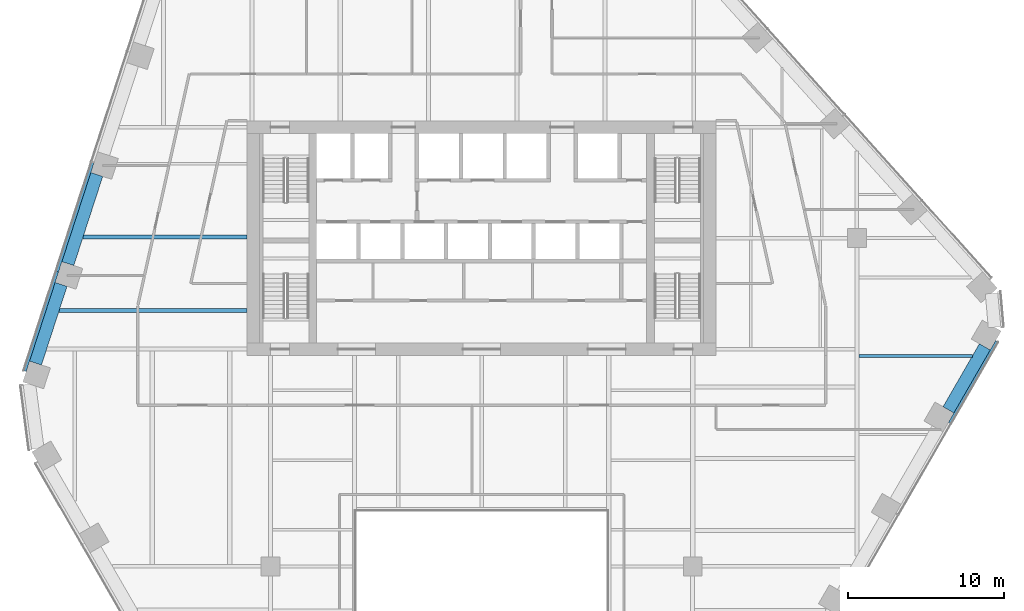
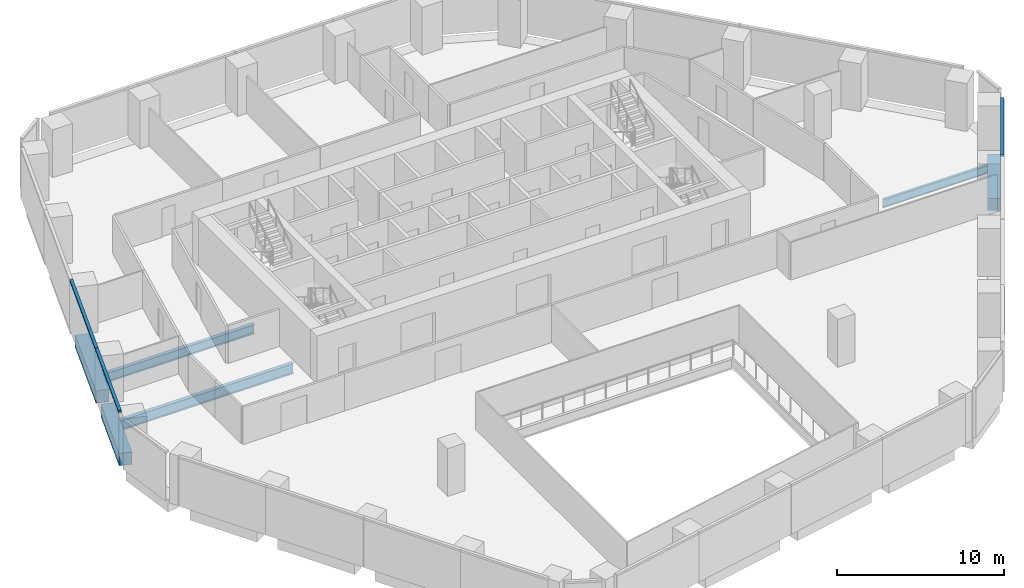
# One storey, part 6 of 16: 6 beams, 3 members, 2 elements without a shape of their own.
"""IFC4 building model written with IfcOpenShell, lengths in metres."""

from ifc_helpers import new_model, si_unit, direction, frame, origin, origin_2d, place, context, subcontext, project, spatial, rectangle, i_section, extrude, material, layer, layer_set, material_profile, profile_set, type_object, element, aggregate, save


model = new_model("IFC4")

# Units and contexts
model_context = context("Model", 3, precision=1e-05, world=origin(), true_north=direction((0.0, 1.0)))
body_context = subcontext(model_context, "Body", "Model", "MODEL_VIEW")
ifc_project = project(units=[si_unit("LENGTHUNIT", "METRE"), si_unit("AREAUNIT", "SQUARE_METRE"), si_unit("VOLUMEUNIT", "CUBIC_METRE"), si_unit("PLANEANGLEUNIT", "RADIAN"), si_unit("MASSUNIT", "GRAM", prefix="KILO")], contexts=[model_context])

# Site, building, storey
site_placement = place(None, origin())
site = spatial("IfcSite", under=ifc_project, at=site_placement, CompositionType="ELEMENT")
building_placement = place(site_placement, origin())
building = spatial("IfcBuilding", under=site, at=building_placement, Name="Isthmus Gate Tower", CompositionType="ELEMENT")
storey_placement = place(building_placement, frame((0.0, 0.0, 140.75)))
storey = spatial("IfcBuildingStorey", under=building, at=storey_placement, Name="L34", CompositionType="ELEMENT", Elevation=140.75)

# Curtain wall, members
ifc_material_1 = material(Name="Aluminium, pale champagne anodised", Category="aluminium")
ifc_layer = layer(ifc_material_1, 0.199951171875)
ifc_layer_set = layer_set([ifc_layer], Name="CW-1 UNITISED CURTAIN WALL 200 DEEP")
curtain_wall_type = type_object("IfcCurtainWallType", Name="CW-1 UNITISED CURTAIN WALL 200 DEEP", PredefinedType="NOTDEFINED", material=ifc_layer_set)
curtain_wall_1_placement = place(storey_placement, origin())
curtain_wall_1 = element("IfcCurtainWall", 1, at=curtain_wall_1_placement, inside=storey, type_object=curtain_wall_type, Name="CW-1 NW L34", PredefinedType="NOTDEFINED")
ifc_material_2 = material(Name="Aluminium, pale champagne anodised", Category="aluminium")
ifc_material_profile_1 = material_profile(ifc_material_2, rectangle(XDim=0.199951171875, YDim=0.139892578125, at=origin_2d()), Name="200x140")
ifc_profile_set_1 = profile_set([ifc_material_profile_1], Name="Aluminium, pale champagne anodised")
member_type = type_object("IfcMemberType", Name="CW-1 TRANSOM 200 X 140", PredefinedType="USERDEFINED", material=ifc_profile_set_1)
member_1_placement = place(storey_placement, frame((-24.896240234375, 12.33056640625, 3.580078125), z_axis=(-0.309025074527, -0.951053890857, 0.0), x_axis=(0.951053890857, -0.309025074527, 0.0)))
member_1 = element("IfcMember", 2, at=member_1_placement, type_object=member_type, Name="CW-1 transom", ObjectType="TRANSOM", PredefinedType="USERDEFINED", context=body_context, shape_type="SweptSolid", body=[
    extrude(rectangle(XDim=0.199951171875, YDim=0.139892578125, at=origin_2d()), origin(), (0.0, 0.0, 1.0), 7.330810546875),
])
member_2_placement = place(storey_placement, frame((-27.16162109375, 5.358642578125, 3.580078125), z_axis=(-0.309026665985, -0.951053373744, 0.0), x_axis=(0.951053373744, -0.309026665985, 0.0)))
member_2 = element("IfcMember", 3, at=member_2_placement, type_object=member_type, Name="CW-1 transom", ObjectType="TRANSOM", PredefinedType="USERDEFINED", context=body_context, shape_type="SweptSolid", body=[
    extrude(rectangle(XDim=0.199951171875, YDim=0.139892578125, at=origin_2d()), origin(), (0.0, 0.0, 1.0), 6.690673828125),
])
aggregate(curtain_wall_1, [member_1, member_2])

# Curtain wall, member
curtain_wall_2_placement = place(storey_placement, origin())
curtain_wall_2 = element("IfcCurtainWall", 4, at=curtain_wall_2_placement, inside=storey, type_object=curtain_wall_type, Name="CW-1 SE L34", PredefinedType="NOTDEFINED")
member_3_placement = place(storey_placement, frame((29.941162109375, -4.34033203125, 3.580078125), z_axis=(0.499997231551, 0.866027002143, 0.0), x_axis=(-0.866027002143, 0.499997231551, 0.0)))
member_3 = element("IfcMember", 5, at=member_3_placement, type_object=member_type, Name="CW-1 transom", ObjectType="TRANSOM", PredefinedType="USERDEFINED", context=body_context, shape_type="SweptSolid", body=[
    extrude(rectangle(XDim=0.199951171875, YDim=0.139892578125, at=origin_2d()), origin(), (0.0, 0.0, 1.0), 6.05029296875),
])
aggregate(curtain_wall_2, [member_3])

# Beams
ifc_material_3 = material(Name="Concrete f'c 60 MPa", Category="concrete")
ifc_material_profile_2 = material_profile(ifc_material_3, rectangle(XDim=0.800048828125, YDim=0.89990234375, at=origin_2d()), Name="RC 800X900")
ifc_profile_set_2 = profile_set([ifc_material_profile_2], Name="Concrete f'c 60 MPa")
beam_type_1 = type_object("IfcBeamType", Name="RC SPANDREL 800 X 900", PredefinedType="SPANDREL", material=ifc_profile_set_2)
beam_1_placement = place(storey_placement, frame((32.183349609375, 0.54296875, -0.449951171875), z_axis=(-0.500023913295, -0.866011596997, 0.0), x_axis=(0.866011596997, -0.500023913295, 0.0)))
element("IfcBeam", 6, at=beam_1_placement, inside=storey, type_object=beam_type_1, Name="str-spandrel-L34-06", PredefinedType="SPANDREL", context=body_context, shape_type="SweptSolid", body=[
    extrude(rectangle(XDim=0.800048828125, YDim=0.89990234375, at=origin_2d()), origin(), (0.0, 0.0, 1.0), 4.650146484375),
])
beam_2_placement = place(storey_placement, frame((-28.537353515625, -0.493408203125, -0.449951171875), z_axis=(0.309033901013, 0.951051022829, 0.0), x_axis=(-0.951051022829, 0.309033901013, 0.0)))
element("IfcBeam", 7, at=beam_2_placement, inside=storey, type_object=beam_type_1, Name="str-spandrel-L34-21", PredefinedType="SPANDREL", context=body_context, shape_type="SweptSolid", body=[
    extrude(rectangle(XDim=0.800048828125, YDim=0.89990234375, at=origin_2d()), origin(), (0.0, 0.0, 1.0), 5.290771484375),
])
beam_3_placement = place(storey_placement, frame((-26.4697265625, 5.869873046875, -0.449951171875), z_axis=(0.309029860788, 0.951052335648, 0.0), x_axis=(-0.951052335648, 0.309029860788, 0.0)))
element("IfcBeam", 8, at=beam_3_placement, inside=storey, type_object=beam_type_1, Name="str-spandrel-L34-22", PredefinedType="SPANDREL", context=body_context, shape_type="SweptSolid", body=[
    extrude(rectangle(XDim=0.800048828125, YDim=0.89990234375, at=origin_2d()), origin(), (0.0, 0.0, 1.0), 5.99072265625),
])
ifc_material_4 = material(Name="Structural steel ASTM A992 Gr 50", Category="steel")
ifc_material_profile_3 = material_profile(ifc_material_4, i_section(OverallWidth=0.177734375, OverallDepth=0.60009765625, WebThickness=0.009521484375, FlangeThickness=0.0126953125, at=origin_2d()), Name="W24X55")
ifc_profile_set_3 = profile_set([ifc_material_profile_3], Name="Structural steel ASTM A992 Gr 50")
beam_type_2 = type_object("IfcBeamType", Name="STEEL FLOOR BEAM W24X55", PredefinedType="JOIST", material=ifc_profile_set_3)
beam_4_placement = place(storey_placement, frame((24.13330078125, -0.037353515625, -0.449951171875), z_axis=(1.0, 0.0, 0.0), x_axis=(0.0, 1.0, 0.0)))
element("IfcBeam", 9, at=beam_4_placement, inside=storey, type_object=beam_type_2, Name="str-beam-L34-16-01", PredefinedType="JOIST", context=body_context, shape_type="SweptSolid", body=[
    extrude(i_section(OverallWidth=0.177734375, OverallDepth=0.60009765625, WebThickness=0.009521484375, FlangeThickness=0.0126953125, at=origin_2d()), origin(), (0.0, 0.0, 1.0), 7.2529296875),
])
ifc_material_5 = material(Name="Structural steel ASTM A992 Gr 50", Category="steel")
ifc_material_profile_4 = material_profile(ifc_material_5, i_section(OverallWidth=0.25390625, OverallDepth=0.679443359375, WebThickness=0.010986328125, FlangeThickness=0.015869140625, at=origin_2d()), Name="W27X84")
ifc_profile_set_4 = profile_set([ifc_material_profile_4], Name="Structural steel ASTM A992 Gr 50")
beam_type_3 = type_object("IfcBeamType", Name="STEEL FLOOR BEAM W27X84", PredefinedType="JOIST", material=ifc_profile_set_4)
beam_5_placement = place(storey_placement, frame((-25.498046875, 7.56591796875, -0.48974609375), z_axis=(1.0, 0.0, 0.0), x_axis=(0.0, 1.0, 0.0)))
element("IfcBeam", 10, at=beam_5_placement, inside=storey, type_object=beam_type_3, Name="str-beam-L34-01-01", PredefinedType="JOIST", context=body_context, shape_type="SweptSolid", body=[
    extrude(i_section(OverallWidth=0.25390625, OverallDepth=0.679443359375, WebThickness=0.010986328125, FlangeThickness=0.015869140625, at=origin_2d()), origin(), (0.0, 0.0, 1.0), 10.498046875),
])
ifc_material_6 = material(Name="Structural steel ASTM A992 Gr 50", Category="steel")
ifc_material_profile_5 = material_profile(ifc_material_6, i_section(OverallWidth=0.263427734375, OverallDepth=0.749267578125, WebThickness=0.0126953125, FlangeThickness=0.015869140625, at=origin_2d()), Name="W30X90")
ifc_profile_set_5 = profile_set([ifc_material_profile_5], Name="Structural steel ASTM A992 Gr 50")
beam_type_4 = type_object("IfcBeamType", Name="STEEL FLOOR BEAM W30X90", PredefinedType="JOIST", material=ifc_profile_set_5)
beam_6_placement = place(storey_placement, frame((-27.021728515625, 2.87646484375, -0.524658203125), z_axis=(1.0, 0.0, 0.0), x_axis=(0.0, 1.0, 0.0)))
element("IfcBeam", 11, at=beam_6_placement, inside=storey, type_object=beam_type_4, Name="str-beam-L34-01-00", PredefinedType="JOIST", context=body_context, shape_type="SweptSolid", body=[
    extrude(i_section(OverallWidth=0.263427734375, OverallDepth=0.749267578125, WebThickness=0.0126953125, FlangeThickness=0.015869140625, at=origin_2d()), origin(), (0.0, 0.0, 1.0), 12.021728515625),
])

save(model, "model.ifc")
